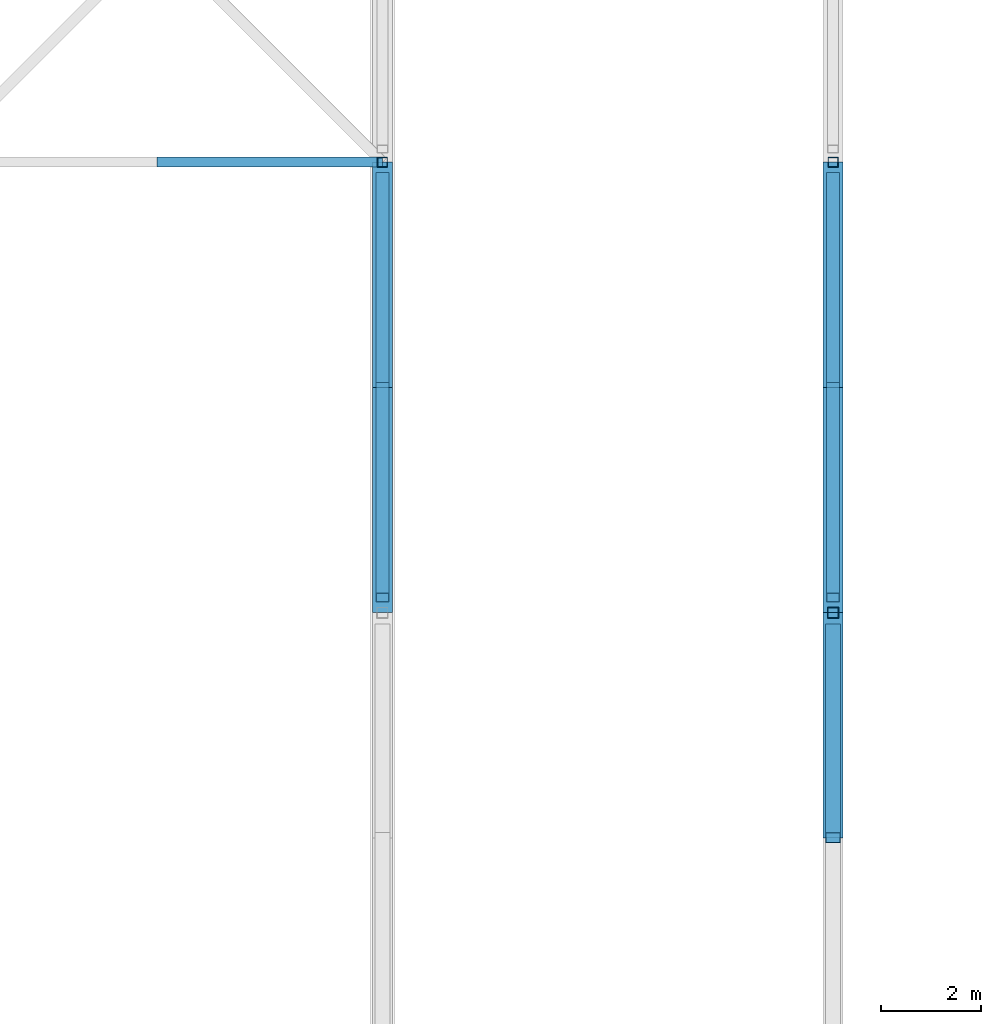
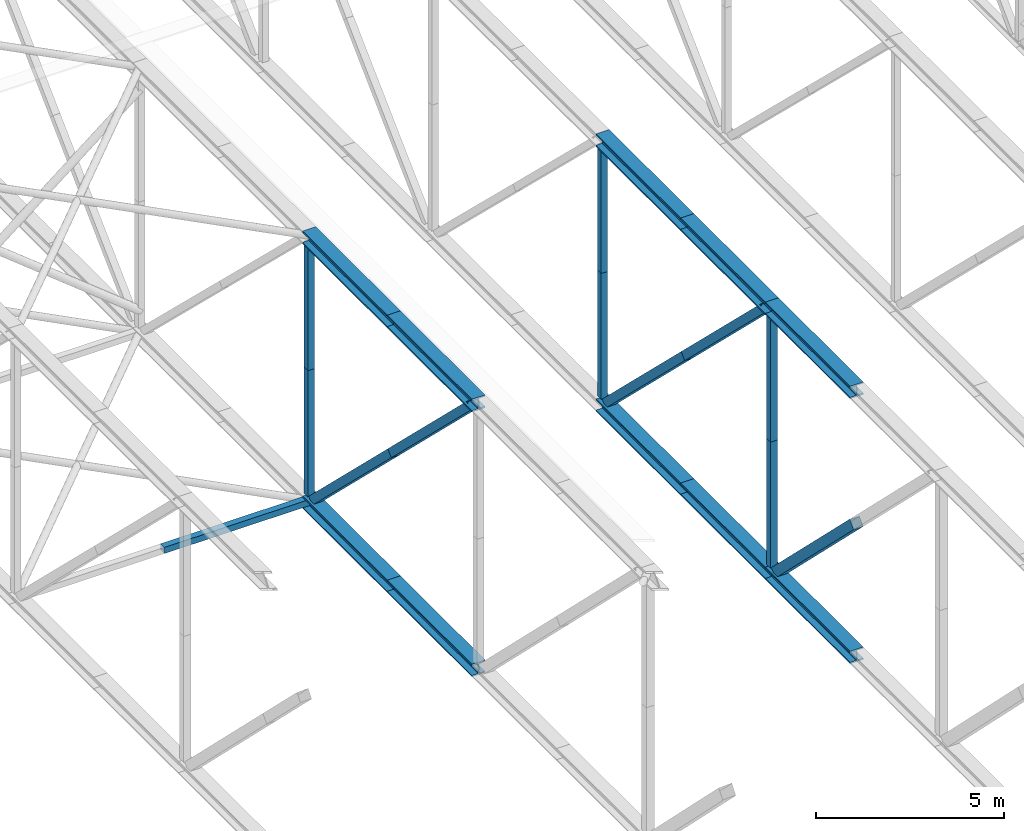
# One storey, part 45 of 646: 22 members.
"""IFC4 building model written with IfcOpenShell, lengths in metres."""

from ifc_helpers import new_model, si_unit, direction, frame, origin, origin_2d, place, context, subcontext, project, spatial, hollow_rectangle, i_section, extrude, material, material_profile, profile_set, type_object, element, save


model = new_model("IFC4")

# Units and contexts
model_context = context("Model", 3, precision=1e-05, world=origin(), true_north=direction((0.0, 1.0)))
body_context = subcontext(model_context, "Body", "Model", "MODEL_VIEW")
ifc_project = project(units=[si_unit("LENGTHUNIT", "METRE"), si_unit("AREAUNIT", "SQUARE_METRE"), si_unit("VOLUMEUNIT", "CUBIC_METRE"), si_unit("PLANEANGLEUNIT", "RADIAN"), si_unit("MASSUNIT", "GRAM", prefix="KILO")], contexts=[model_context])

# Site, building, storey
site_placement = place(None, origin())
site = spatial("IfcSite", under=ifc_project, at=site_placement, CompositionType="ELEMENT")
building_placement = place(site_placement, origin())
building = spatial("IfcBuilding", under=site, at=building_placement, Name="Silverbay Arena", CompositionType="ELEMENT")
storey_placement = place(building_placement, frame((0.0, 0.0, 33.5)))
storey = spatial("IfcBuildingStorey", under=building, at=storey_placement, Name="L05", CompositionType="ELEMENT", Elevation=33.5)

# Members
ifc_material_1 = material(Name="Steel S355", Category="steel")
ifc_material_profile_1 = material_profile(ifc_material_1, hollow_rectangle(XDim=0.199951171875, YDim=0.199951171875, WallThickness=0.008056640625, at=origin_2d()), Name="SHS 200x200x8")
ifc_profile_set_1 = profile_set([ifc_material_profile_1], Name="Steel S355")
member_type_1 = type_object("IfcMemberType", Name="Bracing strut SHS 200x200x8", PredefinedType="STRUT", material=ifc_profile_set_1)
member_1_placement = place(storey_placement, frame((130.5, 72.0, 4.203125), z_axis=(1.0, 0.0, 0.0), x_axis=(0.0, 1.0, 0.0)))
element("IfcMember", 1, at=member_1_placement, inside=storey, type_object=member_type_1, Name="ROOF BRACING strut 15-16 line 08b", PredefinedType="STRUT", context=body_context, shape_type="SweptSolid", body=[
    extrude(hollow_rectangle(XDim=0.199951171875, YDim=0.199951171875, WallThickness=0.008056640625, at=origin_2d()), origin(), (0.0, 0.0, 1.0), 4.5),
])
ifc_material_2 = material(Name="Steel S355", Category="steel")
ifc_material_profile_2 = material_profile(ifc_material_2, i_section(OverallWidth=0.403076171875, OverallDepth=0.406494140625, WebThickness=0.026611328125, FlangeThickness=0.04296875, at=origin_2d()), Name="UC 356x406x340")
ifc_profile_set_2 = profile_set([ifc_material_profile_2], Name="Steel S355")
member_type_2 = type_object("IfcMemberType", Name="Main-span bottom chord UC 356x406x340", PredefinedType="CHORD", material=ifc_profile_set_2)
for number, where, z_axis, x_axis, name in (
    (2, (135.0, 63.0, 4.203125), (0.0, 1.0, 0.0), (-1.0, 0.0, 0.0), "ROOF TRUSS 16 bottom chord 07a"),
    (3, (135.0, 67.5, 4.203125), (0.0, 1.0, 0.0), (-1.0, 0.0, 0.0), "ROOF TRUSS 16 bottom chord 07b"),
    (4, (144.0, 58.5, 4.203125), (0.0, 1.0, 0.0), (-1.0, 0.0, 0.0), "ROOF TRUSS 17 bottom chord 06b"),
    (5, (144.0, 63.0, 4.203125), (0.0, 1.0, 0.0), (-1.0, 0.0, 0.0), "ROOF TRUSS 17 bottom chord 07a"),
    (6, (144.0, 67.5, 4.203125), (0.0, 1.0, 0.0), (-1.0, 0.0, 0.0), "ROOF TRUSS 17 bottom chord 07b"),
):
    element("IfcMember", number, at=place(storey_placement, frame(where, z_axis=z_axis, x_axis=x_axis)), inside=storey, type_object=member_type_2, Name=name, PredefinedType="CHORD", context=body_context, shape_type="SweptSolid", body=[
        extrude(i_section(OverallWidth=0.403076171875, OverallDepth=0.406494140625, WebThickness=0.026611328125, FlangeThickness=0.04296875, at=origin_2d()), origin(), (0.0, 0.0, 1.0), 4.5),
    ])
ifc_material_3 = material(Name="Steel S355", Category="steel")
ifc_material_profile_3 = material_profile(ifc_material_3, i_section(OverallWidth=0.403076171875, OverallDepth=0.406494140625, WebThickness=0.026611328125, FlangeThickness=0.04296875, at=origin_2d()), Name="UC 356x406x340")
ifc_profile_set_3 = profile_set([ifc_material_profile_3], Name="Steel S355")
member_type_3 = type_object("IfcMemberType", Name="Main-span top chord UC 356x406x340", PredefinedType="CHORD", material=ifc_profile_set_3)
member_2_placement = place(storey_placement, frame((144.0, 58.5, 12.796875), z_axis=(0.0, 1.0, 0.0), x_axis=(-1.0, 0.0, 0.0)))
element("IfcMember", 7, at=member_2_placement, inside=storey, type_object=member_type_3, Name="ROOF TRUSS 17 top chord 06b", PredefinedType="CHORD", context=body_context, shape_type="SweptSolid", body=[
    extrude(i_section(OverallWidth=0.403076171875, OverallDepth=0.406494140625, WebThickness=0.026611328125, FlangeThickness=0.04296875, at=origin_2d()), origin(), (0.0, 0.0, 1.0), 4.5),
])
ifc_material_4 = material(Name="Steel S355", Category="steel")
ifc_material_profile_4 = material_profile(ifc_material_4, i_section(OverallWidth=0.406982421875, OverallDepth=0.4189453125, WebThickness=0.030517578125, FlangeThickness=0.04931640625, at=origin_2d()), Name="UC 356x406x393")
ifc_profile_set_4 = profile_set([ifc_material_profile_4], Name="Steel S355")
member_type_4 = type_object("IfcMemberType", Name="Main-span top chord UC 356x406x393", PredefinedType="CHORD", material=ifc_profile_set_4)
for number, where, z_axis, x_axis, name in (
    (8, (135.0, 63.0, 12.79052734375), (0.0, 1.0, 0.0), (-1.0, 0.0, 0.0), "ROOF TRUSS 16 top chord 07a"),
    (9, (135.0, 67.5, 12.79052734375), (0.0, 1.0, 0.0), (-1.0, 0.0, 0.0), "ROOF TRUSS 16 top chord 07b"),
    (10, (144.0, 63.0, 12.79052734375), (0.0, 1.0, 0.0), (-1.0, 0.0, 0.0), "ROOF TRUSS 17 top chord 07a"),
    (11, (144.0, 67.5, 12.79052734375), (0.0, 1.0, 0.0), (-1.0, 0.0, 0.0), "ROOF TRUSS 17 top chord 07b"),
):
    element("IfcMember", number, at=place(storey_placement, frame(where, z_axis=z_axis, x_axis=x_axis)), inside=storey, type_object=member_type_4, Name=name, PredefinedType="CHORD", context=body_context, shape_type="SweptSolid", body=[
        extrude(i_section(OverallWidth=0.406982421875, OverallDepth=0.4189453125, WebThickness=0.030517578125, FlangeThickness=0.04931640625, at=origin_2d()), origin(), (0.0, 0.0, 1.0), 4.5),
    ])
ifc_material_5 = material(Name="Steel S355", Category="steel")
ifc_material_profile_5 = material_profile(ifc_material_5, hollow_rectangle(XDim=0.260009765625, YDim=0.260009765625, WallThickness=0.012451171875, at=origin_2d()), Name="SHS 260x260x12.5")
ifc_profile_set_5 = profile_set([ifc_material_profile_5], Name="Steel S355")
member_type_5 = type_object("IfcMemberType", Name="Main-span truss diagonal SHS 260x260x12.5", PredefinedType="BRACE", material=ifc_profile_set_5)
for number, where, z_axis, x_axis, name in (
    (12, (135.0, 63.303466796875, 12.5810546875), (0.0, 0.716765314206, -0.697314480239), (-1.0, 0.0, 0.0), "ROOF TRUSS 16 diagonal 07a"),
    (13, (135.0, 67.5048828125, 8.49365234375), (0.0, 0.716806382858, -0.697272263534), (-1.0, 0.0, 0.0), "ROOF TRUSS 16 diagonal 07b"),
    (14, (144.0, 63.303466796875, 12.5810546875), (0.0, 0.716765314206, -0.697314480239), (-1.0, 0.0, 0.0), "ROOF TRUSS 17 diagonal 07a"),
    (15, (144.0, 67.5048828125, 8.49365234375), (0.0, 0.716806382858, -0.697272263534), (-1.0, 0.0, 0.0), "ROOF TRUSS 17 diagonal 07b"),
):
    element("IfcMember", number, at=place(storey_placement, frame(where, z_axis=z_axis, x_axis=x_axis)), inside=storey, type_object=member_type_5, Name=name, PredefinedType="BRACE", context=body_context, shape_type="SweptSolid", body=[
        extrude(hollow_rectangle(XDim=0.260009765625, YDim=0.260009765625, WallThickness=0.012451171875, at=origin_2d()), origin(), (0.0, 0.0, 1.0), 5.861572265625),
    ])
ifc_material_6 = material(Name="Steel S355", Category="steel")
ifc_material_profile_6 = material_profile(ifc_material_6, hollow_rectangle(XDim=0.300048828125, YDim=0.300048828125, WallThickness=0.012451171875, at=origin_2d()), Name="SHS 300x300x12.5")
ifc_profile_set_6 = profile_set([ifc_material_profile_6], Name="Steel S355")
member_type_6 = type_object("IfcMemberType", Name="Main-span truss diagonal SHS 300x300x12.5", PredefinedType="BRACE", material=ifc_profile_set_6)
member_3_placement = place(storey_placement, frame((144.0, 58.507568359375, 8.5), z_axis=(0.0, 0.71273186468, -0.701436589487), x_axis=(-1.0, 0.0, 0.0)))
element("IfcMember", 16, at=member_3_placement, inside=storey, type_object=member_type_6, Name="ROOF TRUSS 17 diagonal 06b", PredefinedType="BRACE", context=body_context, shape_type="SweptSolid", body=[
    extrude(hollow_rectangle(XDim=0.300048828125, YDim=0.300048828125, WallThickness=0.012451171875, at=origin_2d()), origin(), (0.0, 0.0, 1.0), 5.8359375),
])
ifc_material_7 = material(Name="Steel S355", Category="steel")
ifc_material_profile_7 = material_profile(ifc_material_7, hollow_rectangle(XDim=0.199951171875, YDim=0.199951171875, WallThickness=0.008056640625, at=origin_2d()), Name="SHS 200x200x8")
ifc_profile_set_7 = profile_set([ifc_material_profile_7], Name="Steel S355")
member_type_7 = type_object("IfcMemberType", Name="Main-span truss vertical SHS 200x200x8", PredefinedType="STRUT", material=ifc_profile_set_7)
member_4_placement = place(storey_placement, frame((135.0, 72.0, 4.406494140625), z_axis=(0.0, 0.0, 1.0), x_axis=(1.0, 0.0, 0.0)))
element("IfcMember", 17, at=member_4_placement, inside=storey, type_object=member_type_7, Name="ROOF TRUSS 16 vertical 08a", PredefinedType="STRUT", context=body_context, shape_type="SweptSolid", body=[
    extrude(hollow_rectangle(XDim=0.199951171875, YDim=0.199951171875, WallThickness=0.008056640625, at=origin_2d()), origin(), (0.0, 0.0, 1.0), 4.087158203125),
])
member_5_placement = place(storey_placement, frame((135.0, 72.0, 8.49365234375), z_axis=(0.0, 0.0, 1.0), x_axis=(1.0, 0.0, 0.0)))
element("IfcMember", 18, at=member_5_placement, inside=storey, type_object=member_type_7, Name="ROOF TRUSS 16 vertical 08b", PredefinedType="STRUT", context=body_context, shape_type="SweptSolid", body=[
    extrude(hollow_rectangle(XDim=0.199951171875, YDim=0.199951171875, WallThickness=0.008056640625, at=origin_2d()), origin(), (0.0, 0.0, 1.0), 4.08740234375),
])
member_6_placement = place(storey_placement, frame((144.0, 72.0, 4.406494140625), z_axis=(0.0, 0.0, 1.0), x_axis=(1.0, 0.0, 0.0)))
element("IfcMember", 19, at=member_6_placement, inside=storey, type_object=member_type_7, Name="ROOF TRUSS 17 vertical 08a", PredefinedType="STRUT", context=body_context, shape_type="SweptSolid", body=[
    extrude(hollow_rectangle(XDim=0.199951171875, YDim=0.199951171875, WallThickness=0.008056640625, at=origin_2d()), origin(), (0.0, 0.0, 1.0), 4.087158203125),
])
member_7_placement = place(storey_placement, frame((144.0, 72.0, 8.49365234375), z_axis=(0.0, 0.0, 1.0), x_axis=(1.0, 0.0, 0.0)))
element("IfcMember", 20, at=member_7_placement, inside=storey, type_object=member_type_7, Name="ROOF TRUSS 17 vertical 08b", PredefinedType="STRUT", context=body_context, shape_type="SweptSolid", body=[
    extrude(hollow_rectangle(XDim=0.199951171875, YDim=0.199951171875, WallThickness=0.008056640625, at=origin_2d()), origin(), (0.0, 0.0, 1.0), 4.08740234375),
])
ifc_material_8 = material(Name="Steel S355", Category="steel")
ifc_material_profile_8 = material_profile(ifc_material_8, hollow_rectangle(XDim=0.219970703125, YDim=0.219970703125, WallThickness=0.008056640625, at=origin_2d()), Name="SHS 220x220x8")
ifc_profile_set_8 = profile_set([ifc_material_profile_8], Name="Steel S355")
member_type_8 = type_object("IfcMemberType", Name="Main-span truss vertical SHS 220x220x8", PredefinedType="STRUT", material=ifc_profile_set_8)
member_8_placement = place(storey_placement, frame((144.0, 63.0, 4.406494140625), z_axis=(0.0, 0.0, 1.0), x_axis=(1.0, 0.0, 0.0)))
element("IfcMember", 21, at=member_8_placement, inside=storey, type_object=member_type_8, Name="ROOF TRUSS 17 vertical 07a", PredefinedType="STRUT", context=body_context, shape_type="SweptSolid", body=[
    extrude(hollow_rectangle(XDim=0.219970703125, YDim=0.219970703125, WallThickness=0.008056640625, at=origin_2d()), origin(), (0.0, 0.0, 1.0), 4.087158203125),
])
member_9_placement = place(storey_placement, frame((144.0, 63.0, 8.49365234375), z_axis=(0.0, 0.0, 1.0), x_axis=(1.0, 0.0, 0.0)))
element("IfcMember", 22, at=member_9_placement, inside=storey, type_object=member_type_8, Name="ROOF TRUSS 17 vertical 07b", PredefinedType="STRUT", context=body_context, shape_type="SweptSolid", body=[
    extrude(hollow_rectangle(XDim=0.219970703125, YDim=0.219970703125, WallThickness=0.008056640625, at=origin_2d()), origin(), (0.0, 0.0, 1.0), 4.08740234375),
])

save(model, "model.ifc")
